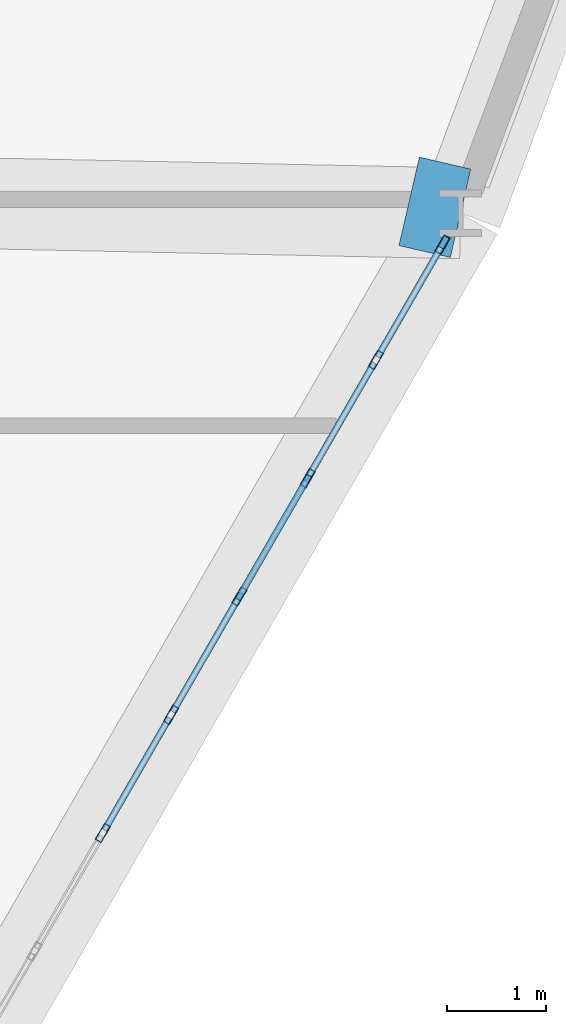
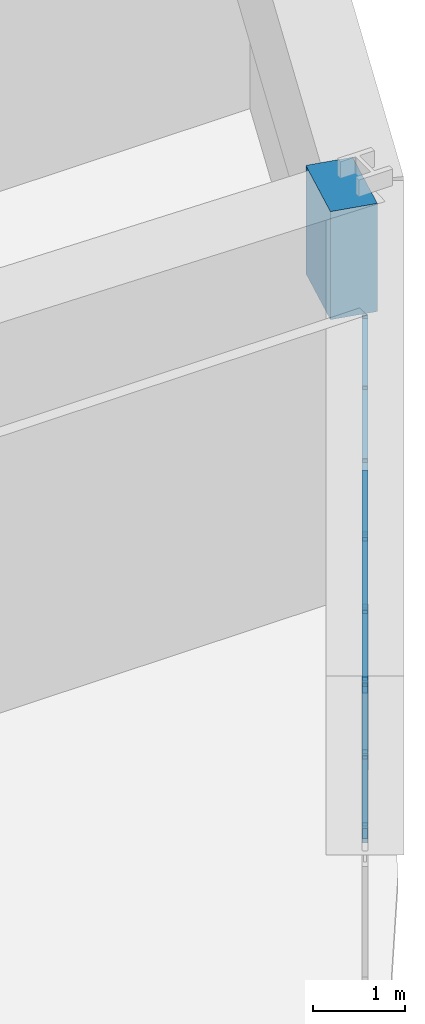
# One storey, part 9 of 20: 17 members, 1 beam, 1 element without a shape of its own.
"""IFC4 building model written with IfcOpenShell, lengths in metres."""

from ifc_helpers import new_model, si_unit, derived_unit, direction, frame, origin, origin_2d, place, context, subcontext, project, spatial, rectangle, hollow_rectangle, extrude, source, transform, mapped, material, layer, layer_set, material_profile, profile_set, type_object, element, aggregate, save


model = new_model("IFC4")

# Units and contexts
model_context = context("Model", 3, precision=1e-05, world=origin(), true_north=direction((0.0, 1.0)))
body_context = subcontext(model_context, "Body", "Model", "MODEL_VIEW")
ifc_project = project(units=[si_unit("LENGTHUNIT", "METRE"), si_unit("AREAUNIT", "SQUARE_METRE"), si_unit("VOLUMEUNIT", "CUBIC_METRE"), si_unit("PLANEANGLEUNIT", "RADIAN"), si_unit("MASSUNIT", "GRAM", prefix="KILO"), derived_unit("THERMALTRANSMITTANCEUNIT", [(si_unit("POWERUNIT", "WATT"), 1), (si_unit("LENGTHUNIT", "METRE"), -2), (si_unit("THERMODYNAMICTEMPERATUREUNIT", "KELVIN"), -1)])], contexts=[model_context])

# Site, building, storey
site_placement = place(None, origin())
site = spatial("IfcSite", under=ifc_project, at=site_placement, CompositionType="ELEMENT")
building_placement = place(site_placement, origin())
building = spatial("IfcBuilding", under=site, at=building_placement, Name="Korsvarv Bourse and Concert Hall", CompositionType="ELEMENT")
storey_placement = place(building_placement, frame((0.0, 0.0, 43.5)))
storey = spatial("IfcBuildingStorey", under=building, at=storey_placement, Name="L10", CompositionType="ELEMENT", Elevation=43.5)

# Beam
ifc_material_1 = material(Name="Concrete C50/60", Category="concrete")
ifc_material_profile_1 = material_profile(ifc_material_1, rectangle(XDim=0.919921875, YDim=1.43994140625, at=origin_2d()), Name="RC-BM 920x1440")
ifc_profile_set_1 = profile_set([ifc_material_profile_1], Name="Concrete C50/60")
beam_type = type_object("IfcBeamType", Name="BM-TR-144", PredefinedType="BEAM", material=ifc_profile_set_1)
shared_shape_1 = source(origin(), body_context, "Body", "SweptSolid", [
    extrude(rectangle(XDim=0.919921875, YDim=1.43994140625, at=origin_2d()), origin(), (0.0, 0.0, 1.0), 0.535400390625),
])
beam_placement = place(storey_placement, frame((58.5048828125, 32.176513671875, 2.9599609375), z_axis=(-0.974306601876, 0.225225765712, 0.0), x_axis=(-0.225225765712, -0.974306601876, 0.0)))
element("IfcBeam", 1, at=beam_placement, inside=storey, type_object=beam_type, Name="L10 beam B-TR4", PredefinedType="BEAM", context=body_context, shape_type="MappedRepresentation", body=[
    mapped(shared_shape_1, transform((0.0, 0.0, 0.0), scale=1.0)),
])

# Curtain wall, members
ifc_material_2 = material(Name="Anodised aluminium and triple low-E glazing", Category="glass")
ifc_layer = layer(ifc_material_2, 0.219970703125)
ifc_layer_set = layer_set([ifc_layer], Name="Anodised aluminium and triple low-E glazing")
curtain_wall_type = type_object("IfcCurtainWallType", Name="CW-SYS-1", PredefinedType="NOTDEFINED", material=ifc_layer_set)
curtain_wall_placement = place(storey_placement, origin())
curtain_wall = element("IfcCurtainWall", 2, at=curtain_wall_placement, inside=storey, type_object=curtain_wall_type, Name="L10 CW1 curtain wall CW-L10-F11", PredefinedType="NOTDEFINED")
ifc_material_3 = material(Name="Extruded aluminium EN AW-6063 T66", Category="aluminium")
ifc_material_profile_2 = material_profile(ifc_material_3, hollow_rectangle(XDim=0.070068359375, YDim=0.18994140625, WallThickness=0.0048828125, at=origin_2d()), Name="ALU-M 70x190")
ifc_profile_set_2 = profile_set([ifc_material_profile_2], Name="Extruded aluminium EN AW-6063 T66")
member_type_1 = type_object("IfcMemberType", Name="CWM-190", PredefinedType="MULLION", material=ifc_profile_set_2)
shared_shape_2 = source(origin(), body_context, "Body", "SweptSolid", [
    extrude(hollow_rectangle(XDim=0.070068359375, YDim=0.18994140625, WallThickness=0.0048828125, at=origin_2d()), origin(), (0.0, 0.0, 1.0), 2.080078125),
])
member_1_placement = place(storey_placement, frame((54.880126953125, 25.898193359375, 0.0), z_axis=(0.0, 0.0, 1.0), x_axis=(-0.866025616828, 0.499999630998, 0.0)))
member_1 = element("IfcMember", 3, at=member_1_placement, type_object=member_type_1, Name="CW1 mullion 7", PredefinedType="MULLION", context=body_context, shape_type="MappedRepresentation", body=[
    mapped(shared_shape_2, transform((0.0, 0.0, 0.0), scale=1.0)),
])
member_2_placement = place(storey_placement, frame((55.572021484375, 27.096435546875, 0.0), z_axis=(0.0, 0.0, 1.0), x_axis=(-0.866025616828, 0.499999630998, 0.0)))
member_2 = element("IfcMember", 4, at=member_2_placement, type_object=member_type_1, Name="CW1 mullion 8", PredefinedType="MULLION", context=body_context, shape_type="MappedRepresentation", body=[
    mapped(shared_shape_2, transform((0.0, 0.0, 0.0), scale=1.0)),
])
member_3_placement = place(storey_placement, frame((56.263671875, 28.294677734375, 0.0), z_axis=(0.0, 0.0, 1.0), x_axis=(-0.866025616828, 0.499999630998, 0.0)))
member_3 = element("IfcMember", 5, at=member_3_placement, type_object=member_type_1, Name="CW1 mullion 9", PredefinedType="MULLION", context=body_context, shape_type="MappedRepresentation", body=[
    mapped(shared_shape_2, transform((0.0, 0.0, 0.0), scale=1.0)),
])
member_4_placement = place(storey_placement, frame((56.95556640625, 29.492919921875, 0.0), z_axis=(0.0, 0.0, 1.0), x_axis=(-0.866025616828, 0.499999630998, 0.0)))
member_4 = element("IfcMember", 6, at=member_4_placement, type_object=member_type_1, Name="CW1 mullion 10", PredefinedType="MULLION", context=body_context, shape_type="MappedRepresentation", body=[
    mapped(shared_shape_2, transform((0.0, 0.0, 0.0), scale=1.0)),
])
member_5_placement = place(storey_placement, frame((57.647216796875, 30.691162109375, 0.0), z_axis=(0.0, 0.0, 1.0), x_axis=(-0.866025616828, 0.499999630998, 0.0)))
member_5 = element("IfcMember", 7, at=member_5_placement, type_object=member_type_1, Name="CW1 mullion 11", PredefinedType="MULLION", context=body_context, shape_type="MappedRepresentation", body=[
    mapped(shared_shape_2, transform((0.0, 0.0, 0.0), scale=1.0)),
])
member_6_placement = place(storey_placement, frame((58.321533203125, 31.859130859375, 0.0), z_axis=(0.0, 0.0, 1.0), x_axis=(-0.866025616828, 0.499999630998, 0.0)))
member_6 = element("IfcMember", 8, at=member_6_placement, type_object=member_type_1, Name="CW1 mullion 12", PredefinedType="MULLION", context=body_context, shape_type="MappedRepresentation", body=[
    mapped(shared_shape_2, transform((0.0, 0.0, 0.0), scale=1.0)),
])
ifc_material_profile_3 = material_profile(ifc_material_3, hollow_rectangle(XDim=0.06494140625, YDim=0.139892578125, WallThickness=0.00390625, at=origin_2d()), Name="ALU-T 65x140")
ifc_profile_set_3 = profile_set([ifc_material_profile_3], Name="Extruded aluminium EN AW-6063 T66")
member_type_2 = type_object("IfcMemberType", Name="CWT-140", PredefinedType="USERDEFINED", material=ifc_profile_set_3)
shared_shape_3 = source(origin(), body_context, "Body", "SweptSolid", [
    extrude(hollow_rectangle(XDim=0.06494140625, YDim=0.139892578125, WallThickness=0.00390625, at=origin_2d()), origin(), (0.0, 0.0, 1.0), 1.27880859375),
])
member_7_placement = place(storey_placement, frame((57.664794921875, 30.721435546875, 0.032470703125), z_axis=(0.50001992892, 0.866013897511, 0.0), x_axis=(-0.866013897511, 0.50001992892, 0.0)))
member_7 = element("IfcMember", 9, at=member_7_placement, type_object=member_type_2, Name="CW1 transom 11.1", ObjectType="TRANSOM", PredefinedType="USERDEFINED", context=body_context, shape_type="MappedRepresentation", body=[
    mapped(shared_shape_3, transform((0.0, 0.0, 0.0), scale=1.0)),
])
member_8_placement = place(storey_placement, frame((57.664794921875, 30.721435546875, 2.047607421875), z_axis=(0.50001992892, 0.866013897511, 0.0), x_axis=(-0.866013897511, 0.50001992892, 0.0)))
member_8 = element("IfcMember", 10, at=member_8_placement, type_object=member_type_2, Name="CW1 transom 11.2", ObjectType="TRANSOM", PredefinedType="USERDEFINED", context=body_context, shape_type="MappedRepresentation", body=[
    mapped(shared_shape_3, transform((0.0, 0.0, 0.0), scale=1.0)),
])
shared_shape_4 = source(origin(), body_context, "Body", "SweptSolid", [
    extrude(hollow_rectangle(XDim=0.06494140625, YDim=0.139892578125, WallThickness=0.00390625, at=origin_2d()), origin(), (0.0, 0.0, 1.0), 1.313720703125),
])
member_9_placement = place(storey_placement, frame((56.28125, 28.324951171875, 0.032470703125), z_axis=(0.499936960004, 0.866061796884, 0.0), x_axis=(-0.866061796884, 0.499936960004, 0.0)))
member_9 = element("IfcMember", 11, at=member_9_placement, type_object=member_type_2, Name="CW1 transom 9.1", ObjectType="TRANSOM", PredefinedType="USERDEFINED", context=body_context, shape_type="MappedRepresentation", body=[
    mapped(shared_shape_4, transform((0.0, 0.0, 0.0), scale=1.0)),
])
member_10_placement = place(storey_placement, frame((56.28125, 28.324951171875, 2.047607421875), z_axis=(0.499936960004, 0.866061796884, 0.0), x_axis=(-0.866061796884, 0.499936960004, 0.0)))
member_10 = element("IfcMember", 12, at=member_10_placement, type_object=member_type_2, Name="CW1 transom 9.2", ObjectType="TRANSOM", PredefinedType="USERDEFINED", context=body_context, shape_type="MappedRepresentation", body=[
    mapped(shared_shape_4, transform((0.0, 0.0, 0.0), scale=1.0)),
])
member_11_placement = place(storey_placement, frame((56.972900390625, 29.523193359375, 0.032470703125), z_axis=(0.50007633992, 0.865981324425, 0.0), x_axis=(-0.865981324425, 0.50007633992, 0.0)))
member_11 = element("IfcMember", 13, at=member_11_placement, type_object=member_type_2, Name="CW1 transom 10.1", ObjectType="TRANSOM", PredefinedType="USERDEFINED", context=body_context, shape_type="MappedRepresentation", body=[
    mapped(shared_shape_4, transform((0.0, 0.0, 0.0), scale=1.0)),
])
member_12_placement = place(storey_placement, frame((56.972900390625, 29.523193359375, 2.047607421875), z_axis=(0.50007633992, 0.865981324425, 0.0), x_axis=(-0.865981324425, 0.50007633992, 0.0)))
member_12 = element("IfcMember", 14, at=member_12_placement, type_object=member_type_2, Name="CW1 transom 10.2", ObjectType="TRANSOM", PredefinedType="USERDEFINED", context=body_context, shape_type="MappedRepresentation", body=[
    mapped(shared_shape_4, transform((0.0, 0.0, 0.0), scale=1.0)),
])
shared_shape_5 = source(origin(), body_context, "Body", "SweptSolid", [
    extrude(hollow_rectangle(XDim=0.06494140625, YDim=0.139892578125, WallThickness=0.00390625, at=origin_2d()), origin(), (0.0, 0.0, 1.0), 1.3134765625),
])
member_13_placement = place(storey_placement, frame((54.897705078125, 25.9287109375, 0.032470703125), z_axis=(0.500017439519, 0.866015334839, 0.0), x_axis=(-0.866015334839, 0.500017439519, 0.0)))
member_13 = element("IfcMember", 15, at=member_13_placement, type_object=member_type_2, Name="CW1 transom 7.1", ObjectType="TRANSOM", PredefinedType="USERDEFINED", context=body_context, shape_type="MappedRepresentation", body=[
    mapped(shared_shape_5, transform((0.0, 0.0, 0.0), scale=1.0)),
])
member_14_placement = place(storey_placement, frame((54.897705078125, 25.9287109375, 2.047607421875), z_axis=(0.500017439519, 0.866015334839, 0.0), x_axis=(-0.866015334839, 0.500017439519, 0.0)))
member_14 = element("IfcMember", 16, at=member_14_placement, type_object=member_type_2, Name="CW1 transom 7.2", ObjectType="TRANSOM", PredefinedType="USERDEFINED", context=body_context, shape_type="MappedRepresentation", body=[
    mapped(shared_shape_5, transform((0.0, 0.0, 0.0), scale=1.0)),
])
member_15_placement = place(storey_placement, frame((55.58935546875, 27.126953125, 0.032470703125), z_axis=(0.500156826909, 0.865934840791, 0.0), x_axis=(-0.865934840791, 0.500156826909, 0.0)))
member_15 = element("IfcMember", 17, at=member_15_placement, type_object=member_type_2, Name="CW1 transom 8.1", ObjectType="TRANSOM", PredefinedType="USERDEFINED", context=body_context, shape_type="MappedRepresentation", body=[
    mapped(shared_shape_5, transform((0.0, 0.0, 0.0), scale=1.0)),
])
member_16_placement = place(storey_placement, frame((55.58935546875, 27.126953125, 2.047607421875), z_axis=(0.500156826909, 0.865934840791, 0.0), x_axis=(-0.865934840791, 0.500156826909, 0.0)))
member_16 = element("IfcMember", 18, at=member_16_placement, type_object=member_type_2, Name="CW1 transom 8.2", ObjectType="TRANSOM", PredefinedType="USERDEFINED", context=body_context, shape_type="MappedRepresentation", body=[
    mapped(shared_shape_5, transform((0.0, 0.0, 0.0), scale=1.0)),
])
ifc_material_profile_4 = material_profile(ifc_material_3, hollow_rectangle(XDim=0.06494140625, YDim=0.1650390625, WallThickness=0.0048828125, at=origin_2d()), Name="ALU-M 65x165")
ifc_profile_set_4 = profile_set([ifc_material_profile_4], Name="Extruded aluminium EN AW-6063 T66")
member_type_3 = type_object("IfcMemberType", Name="CWM-165", PredefinedType="MULLION", material=ifc_profile_set_4)
shared_shape_6 = source(origin(), body_context, "Body", "SweptSolid", [
    extrude(hollow_rectangle(XDim=0.06494140625, YDim=0.1650390625, WallThickness=0.0048828125, at=origin_2d()), origin(), (0.0, 0.0, 1.0), 2.35107421875),
])
member_17_placement = place(storey_placement, frame((56.28125, 28.324951171875, 0.06494140625), z_axis=(0.279324915008, 0.483886283992, 0.82935616958), x_axis=(-0.866061796884, 0.499936960004, 0.0)))
member_17 = element("IfcMember", 19, at=member_17_placement, type_object=member_type_3, Name="CW1 diagonal mullion 9", PredefinedType="MULLION", context=body_context, shape_type="MappedRepresentation", body=[
    mapped(shared_shape_6, transform((0.0, 0.0, 0.0), scale=1.0)),
])
aggregate(curtain_wall, [member_1, member_2, member_3, member_4, member_5, member_6, member_13, member_14, member_15, member_16, member_9, member_10, member_17, member_11, member_12, member_7, member_8])

save(model, "model.ifc")
